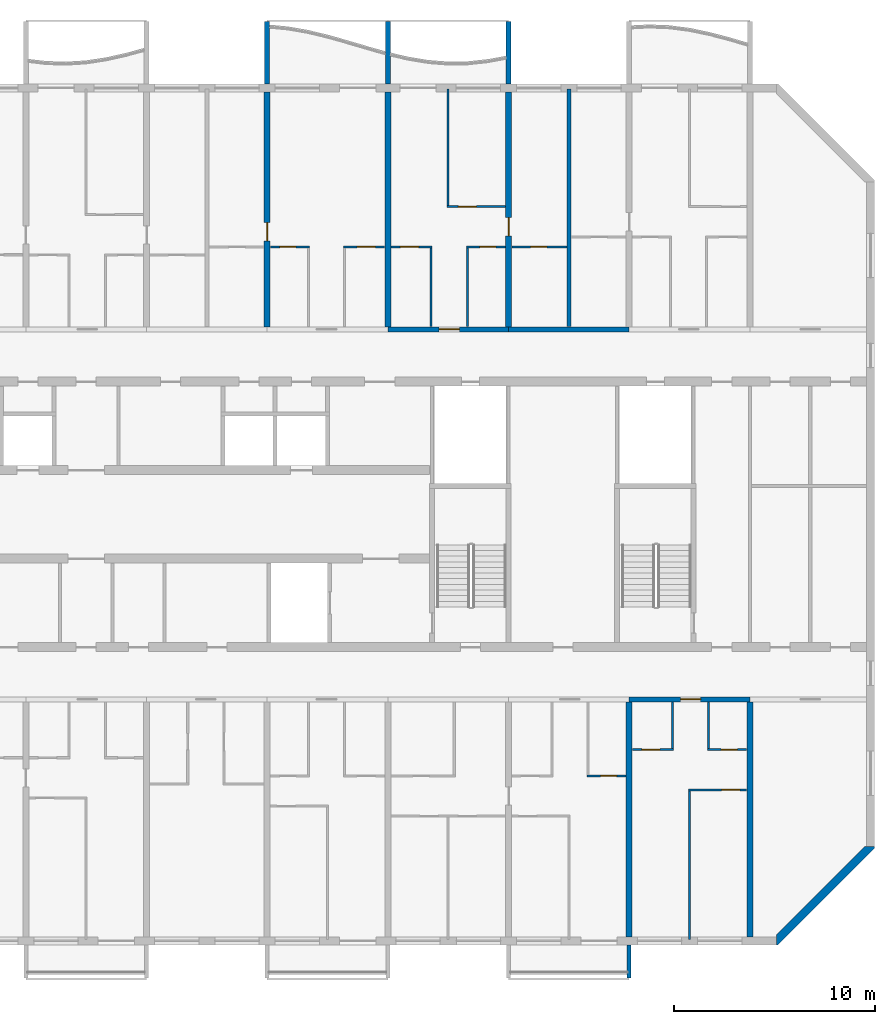
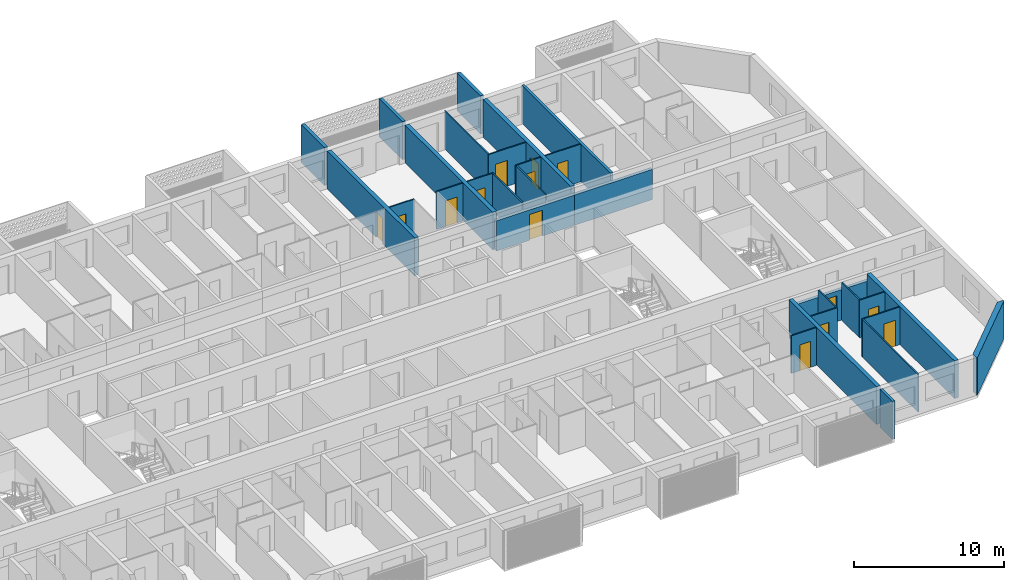
# One storey, part 11 of 32: 30 walls, 14 doors, 14 openings.
"""IFC4 building model written with IfcOpenShell, lengths in metres."""

from ifc_helpers import new_model, si_unit, direction, frame, frame_2d, origin, place, context, subcontext, project, spatial, polyline, rectangle, outline, extrude, source, transform, mapped, material, layer, layer_set, type_object, element, fill, save


model = new_model("IFC4")

# Units and contexts
model_context = context("Model", 3, precision=1e-05, world=origin(), true_north=direction((0.0, 1.0)))
body_context = subcontext(model_context, "Body", "Model", "MODEL_VIEW")
ifc_project = project(units=[si_unit("LENGTHUNIT", "METRE"), si_unit("AREAUNIT", "SQUARE_METRE"), si_unit("VOLUMEUNIT", "CUBIC_METRE"), si_unit("PLANEANGLEUNIT", "RADIAN"), si_unit("MASSUNIT", "GRAM", prefix="KILO")], contexts=[model_context])

# Site, building, storey
site_placement = place(None, origin())
site = spatial("IfcSite", under=ifc_project, at=site_placement, CompositionType="ELEMENT")
building_placement = place(site_placement, origin())
building = spatial("IfcBuilding", under=site, at=building_placement, Name="Poui Terraces", CompositionType="ELEMENT")
storey_placement = place(building_placement, frame((0.0, 0.0, 125.699951171875)))
storey = spatial("IfcBuildingStorey", under=building, at=storey_placement, Name="L34", CompositionType="ELEMENT", Elevation=125.699951171875)

# Wall, opening, door
ifc_material_1 = material(Name="Concrete 65 MPa", Category="concrete")
ifc_layer_1 = layer(ifc_material_1, 0.25)
ifc_layer_set_1 = layer_set([ifc_layer_1], Name="Concrete 65 MPa")
wall_type_1 = type_object("IfcWallType", Name="CORRIDOR WALL 250 65MPa", PredefinedType="SHEAR", material=ifc_layer_set_1)
wall_1_placement = place(storey_placement, frame((78.0, 12.0, 0.0), z_axis=(0.0, 0.0, 1.0), x_axis=(1.0, 0.0, 0.0)))
wall_1 = element("IfcWall", 1, at=wall_1_placement, inside=storey, type_object=wall_type_1, Name="CORRIDOR WALL LINE B BAY 12", PredefinedType="SHEAR", context=body_context, shape_type="SweptSolid", body=[
    extrude(rectangle(XDim=6.0, YDim=0.25, at=frame_2d((3.0, 0.0))), origin(), (0.0, 0.0, 1.0), 2.469970703125),
])
opening_1_placement = place(wall_1_placement, frame((2.550048828125, 0.0, 0.0)))
opening_1 = element("IfcOpeningElement", 2, at=opening_1_placement, cuts=wall_1, Name="Opening FD30S", PredefinedType="OPENING", context=body_context, shape_type="SweptSolid", body=[
    extrude(rectangle(XDim=1.0, YDim=2.10009765625, at=frame_2d((0.5, 1.050048828125))), frame((0.0, 0.135009765625, 0.0), z_axis=(0.0, -1.0, 0.0), x_axis=(1.0, 0.0, 0.0)), (0.0, 0.0, 1.0), 0.27001953125),
])
ifc_material_2 = material(Name="Steel fire door", Category="steel")
door_type_1 = type_object("IfcDoorType", Name="FLAT ENTRANCE DOOR 1000 X 2100", OperationType="NOTDEFINED", PredefinedType="DOOR", material=ifc_material_2)
door_1_placement = place(opening_1_placement, frame((1.0, 0.0, 0.0), z_axis=(0.0, 0.0, 1.0), x_axis=(-1.0, 0.0, 0.0)))
door_1 = element("IfcDoor", 3, at=door_1_placement, inside=storey, type_object=door_type_1, Name="FLAT ENTRANCE DOOR 117", OperationType="SINGLE_SWING_LEFT", OverallHeight=2.10009765625, OverallWidth=1.0, PredefinedType="DOOR", context=body_context, shape_type="SweptSolid", body=[
    extrude(rectangle(XDim=1.0, YDim=2.10009765625, at=frame_2d((0.5, 1.050048828125))), frame((0.0, 0.02490234375, 0.0), z_axis=(0.0, -1.0, 0.0), x_axis=(1.0, 0.0, 0.0)), (0.0, 0.0, 1.0), 0.050048828125),
])
fill(opening_1, door_1)

wall_2_placement = place(storey_placement, frame((66.0, 30.39990234375, 0.0), z_axis=(0.0, 0.0, 1.0), x_axis=(1.0, 0.0, 0.0)))
wall_2 = element("IfcWall", 4, at=wall_2_placement, inside=storey, type_object=wall_type_1, Name="CORRIDOR WALL LINE E BAY 10", PredefinedType="SHEAR", context=body_context, shape_type="SweptSolid", body=[
    extrude(rectangle(XDim=6.0, YDim=0.25, at=frame_2d((3.0, 0.0))), origin(), (0.0, 0.0, 1.0), 2.469970703125),
])
opening_2_placement = place(wall_2_placement, frame((2.550048828125, 0.0, 0.0)))
opening_2 = element("IfcOpeningElement", 5, at=opening_2_placement, cuts=wall_2, Name="Opening FD30S", PredefinedType="OPENING", context=body_context, shape_type="SweptSolid", body=[
    extrude(rectangle(XDim=1.0, YDim=2.10009765625, at=frame_2d((0.5, 1.050048828125))), frame((0.0, 0.135009765625, 0.0), z_axis=(0.0, -1.0, 0.0), x_axis=(1.0, 0.0, 0.0)), (0.0, 0.0, 1.0), 0.27001953125),
])
door_2_placement = place(opening_2_placement, origin())
door_2 = element("IfcDoor", 6, at=door_2_placement, inside=storey, type_object=door_type_1, Name="FLAT ENTRANCE DOOR 067", OperationType="SINGLE_SWING_RIGHT", OverallHeight=2.10009765625, OverallWidth=1.0, PredefinedType="DOOR", context=body_context, shape_type="SweptSolid", body=[
    extrude(rectangle(XDim=1.0, YDim=2.10009765625, at=frame_2d((0.5, 1.050048828125))), frame((0.0, 0.02490234375, 0.0), z_axis=(0.0, -1.0, 0.0), x_axis=(1.0, 0.0, 0.0)), (0.0, 0.0, 1.0), 0.050048828125),
])
fill(opening_2, door_2)

# Wall
wall_3_placement = place(storey_placement, frame((72.0, 30.39990234375, 0.0), z_axis=(0.0, 0.0, 1.0), x_axis=(1.0, 0.0, 0.0)))
element("IfcWall", 7, at=wall_3_placement, inside=storey, type_object=wall_type_1, Name="CORRIDOR WALL LINE E BAY 11", PredefinedType="SHEAR", context=body_context, shape_type="SweptSolid", body=[
    extrude(rectangle(XDim=6.0, YDim=0.25, at=frame_2d((3.0, 0.0))), origin(), (0.0, 0.0, 1.0), 2.469970703125),
])

# Wall, opening, door
ifc_layer_2 = layer(ifc_material_1, 0.300048828125)
ifc_layer_set_2 = layer_set([ifc_layer_2], Name="Concrete 65 MPa")
wall_type_2 = type_object("IfcWallType", Name="CROSS WALL 300 65MPa", PredefinedType="SHEAR", material=ifc_layer_set_2)
wall_4_placement = place(storey_placement, frame((60.0, 30.52490234375, 0.0), z_axis=(0.0, 0.0, 1.0), x_axis=(0.0, 1.0, 0.0)))
wall_4 = element("IfcWall", 8, at=wall_4_placement, inside=storey, type_object=wall_type_2, Name="CROSS WALL LINE 11 NORTH", PredefinedType="SHEAR", context=body_context, shape_type="SweptSolid", body=[
    extrude(rectangle(XDim=11.675048828125, YDim=0.300048828125, at=frame_2d((5.83740234375, 0.0))), origin(), (0.0, 0.0, 1.0), 3.070068359375),
])
opening_3_placement = place(wall_4_placement, frame((4.27490234375, 0.0, 0.0)))
opening_3 = element("IfcOpeningElement", 9, at=opening_3_placement, cuts=wall_4, Name="Opening D90", PredefinedType="OPENING", context=body_context, shape_type="SweptSolid", body=[
    extrude(rectangle(XDim=0.89990234375, YDim=2.10009765625, at=frame_2d((0.449951171875, 1.050048828125))), frame((0.0, 0.16015625, 0.0), z_axis=(0.0, -1.0, 0.0), x_axis=(1.0, 0.0, 0.0)), (0.0, 0.0, 1.0), 0.320068359375),
])
ifc_material_3 = material(Name="Solid core timber door", Category="wood")
door_type_2 = type_object("IfcDoorType", Name="INTERNAL DOOR 900 X 2100", OperationType="NOTDEFINED", PredefinedType="DOOR", material=ifc_material_3)
door_3_placement = place(opening_3_placement, origin())
door_3 = element("IfcDoor", 10, at=door_3_placement, inside=storey, type_object=door_type_2, Name="INTERNAL DOOR 061", OperationType="SINGLE_SWING_LEFT", OverallHeight=2.10009765625, OverallWidth=0.89990234375, PredefinedType="DOOR", context=body_context, shape_type="SweptSolid", body=[
    extrude(rectangle(XDim=0.89990234375, YDim=2.10009765625, at=frame_2d((0.449951171875, 1.050048828125))), frame((0.0, 0.02490234375, 0.0), z_axis=(0.0, -1.0, 0.0), x_axis=(1.0, 0.0, 0.0)), (0.0, 0.0, 1.0), 0.050048828125),
])
fill(opening_3, door_3)

# Wall
wall_5_placement = place(storey_placement, frame((66.0, 30.52490234375, 0.0), z_axis=(0.0, 0.0, 1.0), x_axis=(0.0, 1.0, 0.0)))
element("IfcWall", 11, at=wall_5_placement, inside=storey, type_object=wall_type_2, Name="CROSS WALL LINE 12 NORTH", PredefinedType="SHEAR", context=body_context, shape_type="SweptSolid", body=[
    extrude(rectangle(XDim=11.675048828125, YDim=0.300048828125, at=frame_2d((5.83740234375, 0.0))), origin(), (0.0, 0.0, 1.0), 3.070068359375),
])

# Wall, opening, door
wall_6_placement = place(storey_placement, frame((72.0, 30.52490234375, 0.0), z_axis=(0.0, 0.0, 1.0), x_axis=(0.0, 1.0, 0.0)))
wall_6 = element("IfcWall", 12, at=wall_6_placement, inside=storey, type_object=wall_type_2, Name="CROSS WALL LINE 13 NORTH", PredefinedType="SHEAR", context=body_context, shape_type="SweptSolid", body=[
    extrude(rectangle(XDim=11.675048828125, YDim=0.300048828125, at=frame_2d((5.83740234375, 0.0))), origin(), (0.0, 0.0, 1.0), 3.070068359375),
])
opening_4_placement = place(wall_6_placement, frame((4.52490234375, 0.0, 0.0)))
opening_4 = element("IfcOpeningElement", 13, at=opening_4_placement, cuts=wall_6, Name="Opening D90", PredefinedType="OPENING", context=body_context, shape_type="SweptSolid", body=[
    extrude(rectangle(XDim=0.89990234375, YDim=2.10009765625, at=frame_2d((0.449951171875, 1.050048828125))), frame((0.0, 0.16015625, 0.0), z_axis=(0.0, -1.0, 0.0), x_axis=(1.0, 0.0, 0.0)), (0.0, 0.0, 1.0), 0.320068359375),
])
door_4_placement = place(opening_4_placement, frame((0.89990234375, 0.0, 0.0), z_axis=(0.0, 0.0, 1.0), x_axis=(-1.0, 0.0, 0.0)))
door_4 = element("IfcDoor", 14, at=door_4_placement, inside=storey, type_object=door_type_2, Name="INTERNAL DOOR 070", OperationType="SINGLE_SWING_RIGHT", OverallHeight=2.10009765625, OverallWidth=0.89990234375, PredefinedType="DOOR", context=body_context, shape_type="SweptSolid", body=[
    extrude(rectangle(XDim=0.89990234375, YDim=2.10009765625, at=frame_2d((0.449951171875, 1.050048828125))), frame((0.0, 0.02490234375, 0.0), z_axis=(0.0, -1.0, 0.0), x_axis=(1.0, 0.0, 0.0)), (0.0, 0.0, 1.0), 0.050048828125),
])
fill(opening_4, door_4)

# Walls
for number, where, z_axis, x_axis, name in (
    (15, (78.0, 0.199951171875, 0.0), (0.0, 0.0, 1.0), (0.0, 1.0, 0.0), "CROSS WALL LINE 14 SOUTH"),
    (16, (84.0, 0.199951171875, 0.0), (0.0, 0.0, 1.0), (0.0, 1.0, 0.0), "CROSS WALL LINE 15 SOUTH"),
):
    element("IfcWall", number, at=place(storey_placement, frame(where, z_axis=z_axis, x_axis=x_axis)), inside=storey, type_object=wall_type_2, Name=name, PredefinedType="SHEAR", context=body_context, shape_type="SweptSolid", body=[
        extrude(rectangle(XDim=11.675048828125, YDim=0.300048828125, at=frame_2d((5.83740234375, 0.0))), origin(), (0.0, 0.0, 1.0), 3.070068359375),
    ])

# Wall, opening, door
ifc_material_4 = material(Name="Plasterboard partition")
ifc_layer_3 = layer(ifc_material_4, 0.10009765625)
ifc_layer_set_3 = layer_set([ifc_layer_3], Name="Plasterboard partition")
wall_type_3 = type_object("IfcWallType", Name="FLAT PARTITION 100", PredefinedType="PARTITIONING", material=ifc_layer_set_3)
wall_7_placement = place(storey_placement, frame((80.949951171875, 7.5, 0.0), z_axis=(0.0, 0.0, 1.0), x_axis=(1.0, 0.0, 0.0)))
wall_7 = element("IfcWall", 17, at=wall_7_placement, inside=storey, type_object=wall_type_3, Name="FLAT PARTITION 100", PredefinedType="PARTITIONING", context=body_context, shape_type="SweptSolid", body=[
    extrude(rectangle(XDim=2.89013671875, YDim=0.10009765625, at=frame_2d((1.445068359375, 0.0))), origin(), (0.0, 0.0, 1.0), 3.070068359375),
])
opening_5_placement = place(wall_7_placement, frame((1.64990234375, 0.0, 0.0)))
opening_5 = element("IfcOpeningElement", 18, at=opening_5_placement, cuts=wall_7, Name="Opening D90", PredefinedType="OPENING", context=body_context, shape_type="SweptSolid", body=[
    extrude(rectangle(XDim=0.89990234375, YDim=2.10009765625, at=frame_2d((0.449951171875, 1.050048828125))), frame((0.0, 0.06005859375, 0.0), z_axis=(0.0, -1.0, 0.0), x_axis=(1.0, 0.0, 0.0)), (0.0, 0.0, 1.0), 0.1201171875),
])
door_5_placement = place(opening_5_placement, origin())
door_5 = element("IfcDoor", 19, at=door_5_placement, inside=storey, type_object=door_type_2, Name="INTERNAL DOOR 119", OperationType="SINGLE_SWING_LEFT", OverallHeight=2.10009765625, OverallWidth=0.89990234375, PredefinedType="DOOR", context=body_context, shape_type="SweptSolid", body=[
    extrude(rectangle(XDim=0.89990234375, YDim=2.10009765625, at=frame_2d((0.449951171875, 1.050048828125))), frame((0.0, 0.02490234375, 0.0), z_axis=(0.0, -1.0, 0.0), x_axis=(1.0, 0.0, 0.0)), (0.0, 0.0, 1.0), 0.050048828125),
])
fill(opening_5, door_5)

wall_8_placement = place(storey_placement, frame((75.89990234375, 8.199951171875, 0.0), z_axis=(0.0, 0.0, 1.0), x_axis=(1.0, 0.0, 0.0)))
wall_8 = element("IfcWall", 20, at=wall_8_placement, inside=storey, type_object=wall_type_3, Name="FLAT PARTITION 100", PredefinedType="PARTITIONING", context=body_context, shape_type="SweptSolid", body=[
    extrude(rectangle(XDim=1.940185546875, YDim=0.10009765625, at=frame_2d((0.97021484375, 0.0))), origin(), (0.0, 0.0, 1.0), 3.070068359375),
])
opening_6_placement = place(wall_8_placement, frame((0.675048828125, 0.0, 0.0)))
opening_6 = element("IfcOpeningElement", 21, at=opening_6_placement, cuts=wall_8, Name="Opening D80", PredefinedType="OPENING", context=body_context, shape_type="SweptSolid", body=[
    extrude(rectangle(XDim=0.800048828125, YDim=2.10009765625, at=frame_2d((0.39990234375, 1.050048828125))), frame((0.0, 0.06005859375, 0.0), z_axis=(0.0, -1.0, 0.0), x_axis=(1.0, 0.0, 0.0)), (0.0, 0.0, 1.0), 0.1201171875),
])
door_type_3 = type_object("IfcDoorType", Name="BATHROOM, LAUNDRY AND STORE DOOR 800 X 2100", OperationType="NOTDEFINED", PredefinedType="DOOR", material=ifc_material_3)
door_6_placement = place(opening_6_placement, origin())
door_6 = element("IfcDoor", 22, at=door_6_placement, inside=storey, type_object=door_type_3, Name="BATHROOM, LAUNDRY AND STORE DOOR 115", OperationType="SINGLE_SWING_RIGHT", OverallHeight=2.10009765625, OverallWidth=0.800048828125, PredefinedType="DOOR", context=body_context, shape_type="SweptSolid", body=[
    extrude(rectangle(XDim=0.800048828125, YDim=2.10009765625, at=frame_2d((0.39990234375, 1.050048828125))), frame((0.0, 0.02490234375, 0.0), z_axis=(0.0, -1.0, 0.0), x_axis=(1.0, 0.0, 0.0)), (0.0, 0.0, 1.0), 0.050048828125),
])
fill(opening_6, door_6)

wall_9_placement = place(storey_placement, frame((78.159912109375, 9.5, 0.0), z_axis=(0.0, 0.0, 1.0), x_axis=(1.0, 0.0, 0.0)))
wall_9 = element("IfcWall", 23, at=wall_9_placement, inside=storey, type_object=wall_type_3, Name="FLAT PARTITION 100", PredefinedType="PARTITIONING", context=body_context, shape_type="SweptSolid", body=[
    extrude(rectangle(XDim=2.0400390625, YDim=0.10009765625, at=frame_2d((1.02001953125, 0.0))), origin(), (0.0, 0.0, 1.0), 3.070068359375),
])
opening_7_placement = place(wall_9_placement, frame((0.465087890625, 0.0, 0.0)))
opening_7 = element("IfcOpeningElement", 24, at=opening_7_placement, cuts=wall_9, Name="Opening D90", PredefinedType="OPENING", context=body_context, shape_type="SweptSolid", body=[
    extrude(rectangle(XDim=0.89990234375, YDim=2.10009765625, at=frame_2d((0.449951171875, 1.050048828125))), frame((0.0, 0.06005859375, 0.0), z_axis=(0.0, -1.0, 0.0), x_axis=(1.0, 0.0, 0.0)), (0.0, 0.0, 1.0), 0.1201171875),
])
door_7_placement = place(opening_7_placement, origin())
door_7 = element("IfcDoor", 25, at=door_7_placement, inside=storey, type_object=door_type_2, Name="INTERNAL DOOR 116", OperationType="SINGLE_SWING_LEFT", OverallHeight=2.10009765625, OverallWidth=0.89990234375, PredefinedType="DOOR", context=body_context, shape_type="SweptSolid", body=[
    extrude(rectangle(XDim=0.89990234375, YDim=2.10009765625, at=frame_2d((0.449951171875, 1.050048828125))), frame((0.0, 0.02490234375, 0.0), z_axis=(0.0, -1.0, 0.0), x_axis=(1.0, 0.0, 0.0)), (0.0, 0.0, 1.0), 0.050048828125),
])
fill(opening_7, door_7)

wall_10_placement = place(storey_placement, frame((81.89990234375, 9.5, 0.0), z_axis=(0.0, 0.0, 1.0), x_axis=(1.0, 0.0, 0.0)))
wall_10 = element("IfcWall", 26, at=wall_10_placement, inside=storey, type_object=wall_type_3, Name="FLAT PARTITION 100", PredefinedType="PARTITIONING", context=body_context, shape_type="SweptSolid", body=[
    extrude(rectangle(XDim=1.940185546875, YDim=0.10009765625, at=frame_2d((0.97021484375, 0.0))), origin(), (0.0, 0.0, 1.0), 3.070068359375),
])
opening_8_placement = place(wall_10_placement, frame((0.675048828125, 0.0, 0.0)))
opening_8 = element("IfcOpeningElement", 27, at=opening_8_placement, cuts=wall_10, Name="Opening D80", PredefinedType="OPENING", context=body_context, shape_type="SweptSolid", body=[
    extrude(rectangle(XDim=0.800048828125, YDim=2.10009765625, at=frame_2d((0.39990234375, 1.050048828125))), frame((0.0, 0.06005859375, 0.0), z_axis=(0.0, -1.0, 0.0), x_axis=(1.0, 0.0, 0.0)), (0.0, 0.0, 1.0), 0.1201171875),
])
door_8_placement = place(opening_8_placement, origin())
door_8 = element("IfcDoor", 28, at=door_8_placement, inside=storey, type_object=door_type_3, Name="BATHROOM, LAUNDRY AND STORE DOOR 118", OperationType="SINGLE_SWING_RIGHT", OverallHeight=2.10009765625, OverallWidth=0.800048828125, PredefinedType="DOOR", context=body_context, shape_type="SweptSolid", body=[
    extrude(rectangle(XDim=0.800048828125, YDim=2.10009765625, at=frame_2d((0.39990234375, 1.050048828125))), frame((0.0, 0.02490234375, 0.0), z_axis=(0.0, -1.0, 0.0), x_axis=(1.0, 0.0, 0.0)), (0.0, 0.0, 1.0), 0.050048828125),
])
fill(opening_8, door_8)

wall_11_placement = place(storey_placement, frame((60.159912109375, 34.5, 0.0), z_axis=(0.0, 0.0, 1.0), x_axis=(1.0, 0.0, 0.0)))
wall_11 = element("IfcWall", 29, at=wall_11_placement, inside=storey, type_object=wall_type_3, Name="FLAT PARTITION 100", PredefinedType="PARTITIONING", context=body_context, shape_type="SweptSolid", body=[
    extrude(rectangle(XDim=1.940185546875, YDim=0.10009765625, at=frame_2d((0.97021484375, 0.0))), origin(), (0.0, 0.0, 1.0), 3.070068359375),
])
opening_9_placement = place(wall_11_placement, frame((0.465087890625, 0.0, 0.0)))
opening_9 = element("IfcOpeningElement", 30, at=opening_9_placement, cuts=wall_11, Name="Opening D80", PredefinedType="OPENING", context=body_context, shape_type="SweptSolid", body=[
    extrude(rectangle(XDim=0.800048828125, YDim=2.10009765625, at=frame_2d((0.39990234375, 1.050048828125))), frame((0.0, 0.06005859375, 0.0), z_axis=(0.0, -1.0, 0.0), x_axis=(1.0, 0.0, 0.0)), (0.0, 0.0, 1.0), 0.1201171875),
])
door_9_placement = place(opening_9_placement, frame((0.800048828125, 0.0, 0.0), z_axis=(0.0, 0.0, 1.0), x_axis=(-1.0, 0.0, 0.0)))
door_9 = element("IfcDoor", 31, at=door_9_placement, inside=storey, type_object=door_type_3, Name="BATHROOM, LAUNDRY AND STORE DOOR 062", OperationType="SINGLE_SWING_LEFT", OverallHeight=2.10009765625, OverallWidth=0.800048828125, PredefinedType="DOOR", context=body_context, shape_type="SweptSolid", body=[
    extrude(rectangle(XDim=0.800048828125, YDim=2.10009765625, at=frame_2d((0.39990234375, 1.050048828125))), frame((0.0, 0.02490234375, 0.0), z_axis=(0.0, -1.0, 0.0), x_axis=(1.0, 0.0, 0.0)), (0.0, 0.0, 1.0), 0.050048828125),
])
fill(opening_9, door_9)

wall_12_placement = place(storey_placement, frame((63.800048828125, 34.5, 0.0), z_axis=(0.0, 0.0, 1.0), x_axis=(1.0, 0.0, 0.0)))
wall_12 = element("IfcWall", 32, at=wall_12_placement, inside=storey, type_object=wall_type_3, Name="FLAT PARTITION 100", PredefinedType="PARTITIONING", context=body_context, shape_type="SweptSolid", body=[
    extrude(rectangle(XDim=2.0400390625, YDim=0.10009765625, at=frame_2d((1.02001953125, 0.0))), origin(), (0.0, 0.0, 1.0), 3.070068359375),
])
opening_10_placement = place(wall_12_placement, frame((0.675048828125, 0.0, 0.0)))
opening_10 = element("IfcOpeningElement", 33, at=opening_10_placement, cuts=wall_12, Name="Opening D90", PredefinedType="OPENING", context=body_context, shape_type="SweptSolid", body=[
    extrude(rectangle(XDim=0.89990234375, YDim=2.10009765625, at=frame_2d((0.449951171875, 1.050048828125))), frame((0.0, 0.06005859375, 0.0), z_axis=(0.0, -1.0, 0.0), x_axis=(1.0, 0.0, 0.0)), (0.0, 0.0, 1.0), 0.1201171875),
])
door_10_placement = place(opening_10_placement, frame((0.89990234375, 0.0, 0.0), z_axis=(0.0, 0.0, 1.0), x_axis=(-1.0, 0.0, 0.0)))
door_10 = element("IfcDoor", 34, at=door_10_placement, inside=storey, type_object=door_type_2, Name="INTERNAL DOOR 064", OperationType="SINGLE_SWING_RIGHT", OverallHeight=2.10009765625, OverallWidth=0.89990234375, PredefinedType="DOOR", context=body_context, shape_type="SweptSolid", body=[
    extrude(rectangle(XDim=0.89990234375, YDim=2.10009765625, at=frame_2d((0.449951171875, 1.050048828125))), frame((0.0, 0.02490234375, 0.0), z_axis=(0.0, -1.0, 0.0), x_axis=(1.0, 0.0, 0.0)), (0.0, 0.0, 1.0), 0.050048828125),
])
fill(opening_10, door_10)

wall_13_placement = place(storey_placement, frame((66.159912109375, 34.5, 0.0), z_axis=(0.0, 0.0, 1.0), x_axis=(1.0, 0.0, 0.0)))
wall_13 = element("IfcWall", 35, at=wall_13_placement, inside=storey, type_object=wall_type_3, Name="FLAT PARTITION 100", PredefinedType="PARTITIONING", context=body_context, shape_type="SweptSolid", body=[
    extrude(rectangle(XDim=2.0400390625, YDim=0.10009765625, at=frame_2d((1.02001953125, 0.0))), origin(), (0.0, 0.0, 1.0), 3.070068359375),
])
opening_11_placement = place(wall_13_placement, frame((0.465087890625, 0.0, 0.0)))
opening_11 = element("IfcOpeningElement", 36, at=opening_11_placement, cuts=wall_13, Name="Opening D90", PredefinedType="OPENING", context=body_context, shape_type="SweptSolid", body=[
    extrude(rectangle(XDim=0.89990234375, YDim=2.10009765625, at=frame_2d((0.449951171875, 1.050048828125))), frame((0.0, 0.06005859375, 0.0), z_axis=(0.0, -1.0, 0.0), x_axis=(1.0, 0.0, 0.0)), (0.0, 0.0, 1.0), 0.1201171875),
])
door_11_placement = place(opening_11_placement, frame((0.89990234375, 0.0, 0.0), z_axis=(0.0, 0.0, 1.0), x_axis=(-1.0, 0.0, 0.0)))
door_11 = element("IfcDoor", 37, at=door_11_placement, inside=storey, type_object=door_type_2, Name="INTERNAL DOOR 066", OperationType="SINGLE_SWING_LEFT", OverallHeight=2.10009765625, OverallWidth=0.89990234375, PredefinedType="DOOR", context=body_context, shape_type="SweptSolid", body=[
    extrude(rectangle(XDim=0.89990234375, YDim=2.10009765625, at=frame_2d((0.449951171875, 1.050048828125))), frame((0.0, 0.02490234375, 0.0), z_axis=(0.0, -1.0, 0.0), x_axis=(1.0, 0.0, 0.0)), (0.0, 0.0, 1.0), 0.050048828125),
])
fill(opening_11, door_11)

wall_14_placement = place(storey_placement, frame((69.89990234375, 34.5, 0.0), z_axis=(0.0, 0.0, 1.0), x_axis=(1.0, 0.0, 0.0)))
wall_14 = element("IfcWall", 38, at=wall_14_placement, inside=storey, type_object=wall_type_3, Name="FLAT PARTITION 100", PredefinedType="PARTITIONING", context=body_context, shape_type="SweptSolid", body=[
    extrude(rectangle(XDim=1.940185546875, YDim=0.10009765625, at=frame_2d((0.97021484375, 0.0))), origin(), (0.0, 0.0, 1.0), 3.070068359375),
])
opening_12_placement = place(wall_14_placement, frame((0.675048828125, 0.0, 0.0)))
opening_12 = element("IfcOpeningElement", 39, at=opening_12_placement, cuts=wall_14, Name="Opening D80", PredefinedType="OPENING", context=body_context, shape_type="SweptSolid", body=[
    extrude(rectangle(XDim=0.800048828125, YDim=2.10009765625, at=frame_2d((0.39990234375, 1.050048828125))), frame((0.0, 0.06005859375, 0.0), z_axis=(0.0, -1.0, 0.0), x_axis=(1.0, 0.0, 0.0)), (0.0, 0.0, 1.0), 0.1201171875),
])
door_12_placement = place(opening_12_placement, frame((0.800048828125, 0.0, 0.0), z_axis=(0.0, 0.0, 1.0), x_axis=(-1.0, 0.0, 0.0)))
door_12 = element("IfcDoor", 40, at=door_12_placement, inside=storey, type_object=door_type_3, Name="BATHROOM, LAUNDRY AND STORE DOOR 069", OperationType="SINGLE_SWING_RIGHT", OverallHeight=2.10009765625, OverallWidth=0.800048828125, PredefinedType="DOOR", context=body_context, shape_type="SweptSolid", body=[
    extrude(rectangle(XDim=0.800048828125, YDim=2.10009765625, at=frame_2d((0.39990234375, 1.050048828125))), frame((0.0, 0.02490234375, 0.0), z_axis=(0.0, -1.0, 0.0), x_axis=(1.0, 0.0, 0.0)), (0.0, 0.0, 1.0), 0.050048828125),
])
fill(opening_12, door_12)

wall_15_placement = place(storey_placement, frame((72.159912109375, 34.5, 0.0), z_axis=(0.0, 0.0, 1.0), x_axis=(1.0, 0.0, 0.0)))
wall_15 = element("IfcWall", 41, at=wall_15_placement, inside=storey, type_object=wall_type_3, Name="FLAT PARTITION 100", PredefinedType="PARTITIONING", context=body_context, shape_type="SweptSolid", body=[
    extrude(rectangle(XDim=2.739990234375, YDim=0.10009765625, at=frame_2d((1.3701171875, 0.0))), origin(), (0.0, 0.0, 1.0), 3.070068359375),
])
opening_13_placement = place(wall_15_placement, frame((0.93994140625, 0.0, 0.0)))
opening_13 = element("IfcOpeningElement", 42, at=opening_13_placement, cuts=wall_15, Name="Opening D80", PredefinedType="OPENING", context=body_context, shape_type="SweptSolid", body=[
    extrude(rectangle(XDim=0.800048828125, YDim=2.10009765625, at=frame_2d((0.39990234375, 1.050048828125))), frame((0.0, 0.06005859375, 0.0), z_axis=(0.0, -1.0, 0.0), x_axis=(1.0, 0.0, 0.0)), (0.0, 0.0, 1.0), 0.1201171875),
])
door_13_placement = place(opening_13_placement, frame((0.800048828125, 0.0, 0.0), z_axis=(0.0, 0.0, 1.0), x_axis=(-1.0, 0.0, 0.0)))
door_13 = element("IfcDoor", 43, at=door_13_placement, inside=storey, type_object=door_type_3, Name="BATHROOM, LAUNDRY AND STORE DOOR 065", OperationType="SINGLE_SWING_LEFT", OverallHeight=2.10009765625, OverallWidth=0.800048828125, PredefinedType="DOOR", context=body_context, shape_type="SweptSolid", body=[
    extrude(rectangle(XDim=0.800048828125, YDim=2.10009765625, at=frame_2d((0.39990234375, 1.050048828125))), frame((0.0, 0.02490234375, 0.0), z_axis=(0.0, -1.0, 0.0), x_axis=(1.0, 0.0, 0.0)), (0.0, 0.0, 1.0), 0.050048828125),
])
fill(opening_13, door_13)

wall_16_placement = place(storey_placement, frame((68.949951171875, 36.5, 0.0), z_axis=(0.0, 0.0, 1.0), x_axis=(1.0, 0.0, 0.0)))
wall_16 = element("IfcWall", 44, at=wall_16_placement, inside=storey, type_object=wall_type_3, Name="FLAT PARTITION 100", PredefinedType="PARTITIONING", context=body_context, shape_type="SweptSolid", body=[
    extrude(rectangle(XDim=2.89013671875, YDim=0.10009765625, at=frame_2d((1.445068359375, 0.0))), origin(), (0.0, 0.0, 1.0), 3.070068359375),
])
opening_14_placement = place(wall_16_placement, frame((0.550048828125, 0.0, 0.0)))
opening_14 = element("IfcOpeningElement", 45, at=opening_14_placement, cuts=wall_16, Name="Opening D90", PredefinedType="OPENING", context=body_context, shape_type="SweptSolid", body=[
    extrude(rectangle(XDim=0.89990234375, YDim=2.10009765625, at=frame_2d((0.449951171875, 1.050048828125))), frame((0.0, 0.06005859375, 0.0), z_axis=(0.0, -1.0, 0.0), x_axis=(1.0, 0.0, 0.0)), (0.0, 0.0, 1.0), 0.1201171875),
])
door_14_placement = place(opening_14_placement, frame((0.89990234375, 0.0, 0.0), z_axis=(0.0, 0.0, 1.0), x_axis=(-1.0, 0.0, 0.0)))
door_14 = element("IfcDoor", 46, at=door_14_placement, inside=storey, type_object=door_type_2, Name="INTERNAL DOOR 068", OperationType="SINGLE_SWING_LEFT", OverallHeight=2.10009765625, OverallWidth=0.89990234375, PredefinedType="DOOR", context=body_context, shape_type="SweptSolid", body=[
    extrude(rectangle(XDim=0.89990234375, YDim=2.10009765625, at=frame_2d((0.449951171875, 1.050048828125))), frame((0.0, 0.02490234375, 0.0), z_axis=(0.0, -1.0, 0.0), x_axis=(1.0, 0.0, 0.0)), (0.0, 0.0, 1.0), 0.050048828125),
])
fill(opening_14, door_14)

# Walls
wall_17_placement = place(storey_placement, frame((68.14990234375, 30.534912109375, 0.0), z_axis=(0.0, 0.0, 1.0), x_axis=(0.0, 1.0, 0.0)))
element("IfcWall", 47, at=wall_17_placement, inside=storey, type_object=wall_type_3, Name="FLAT PARTITION 100", PredefinedType="PARTITIONING", context=body_context, shape_type="SweptSolid", body=[
    extrude(rectangle(XDim=3.9150390625, YDim=0.10009765625, at=frame_2d((1.95751953125, 0.0))), origin(), (0.0, 0.0, 1.0), 3.070068359375),
])
wall_18_placement = place(storey_placement, frame((69.0, 36.550048828125, 0.0), z_axis=(0.0, 0.0, 1.0), x_axis=(0.0, 1.0, 0.0)))
element("IfcWall", 48, at=wall_18_placement, inside=storey, type_object=wall_type_3, Name="FLAT PARTITION 100", PredefinedType="PARTITIONING", context=body_context, shape_type="SweptSolid", body=[
    extrude(rectangle(XDim=5.7900390625, YDim=0.10009765625, at=frame_2d((2.89501953125, 0.0))), origin(), (0.0, 0.0, 1.0), 3.070068359375),
])
wall_19_placement = place(storey_placement, frame((69.949951171875, 30.534912109375, 0.0), z_axis=(0.0, 0.0, 1.0), x_axis=(0.0, 1.0, 0.0)))
element("IfcWall", 49, at=wall_19_placement, inside=storey, type_object=wall_type_3, Name="FLAT PARTITION 100", PredefinedType="PARTITIONING", context=body_context, shape_type="SweptSolid", body=[
    extrude(rectangle(XDim=3.9150390625, YDim=0.10009765625, at=frame_2d((1.95751953125, 0.0))), origin(), (0.0, 0.0, 1.0), 3.070068359375),
])
wall_20_placement = place(storey_placement, frame((80.14990234375, 9.550048828125, 0.0), z_axis=(0.0, 0.0, 1.0), x_axis=(0.0, 1.0, 0.0)))
element("IfcWall", 50, at=wall_20_placement, inside=storey, type_object=wall_type_3, Name="FLAT PARTITION 100", PredefinedType="PARTITIONING", context=body_context, shape_type="SweptSolid", body=[
    extrude(rectangle(XDim=2.31494140625, YDim=0.10009765625, at=frame_2d((1.157470703125, 0.0))), origin(), (0.0, 0.0, 1.0), 3.070068359375),
])
wall_21_placement = place(storey_placement, frame((81.0, 0.06005859375, 0.0), z_axis=(0.0, 0.0, 1.0), x_axis=(0.0, 1.0, 0.0)))
element("IfcWall", 51, at=wall_21_placement, inside=storey, type_object=wall_type_3, Name="FLAT PARTITION 100", PredefinedType="PARTITIONING", context=body_context, shape_type="SweptSolid", body=[
    extrude(rectangle(XDim=7.389892578125, YDim=0.10009765625, at=frame_2d((3.69482421875, 0.0))), origin(), (0.0, 0.0, 1.0), 3.070068359375),
])
wall_22_placement = place(storey_placement, frame((81.949951171875, 9.550048828125, 0.0), z_axis=(0.0, 0.0, 1.0), x_axis=(0.0, 1.0, 0.0)))
element("IfcWall", 52, at=wall_22_placement, inside=storey, type_object=wall_type_3, Name="FLAT PARTITION 100", PredefinedType="PARTITIONING", context=body_context, shape_type="SweptSolid", body=[
    extrude(rectangle(XDim=2.31494140625, YDim=0.10009765625, at=frame_2d((1.157470703125, 0.0))), origin(), (0.0, 0.0, 1.0), 3.070068359375),
])
ifc_material_5 = material(Name="Fire-rated masonry wall", Category="masonry")
ifc_layer_4 = layer(ifc_material_5, 0.199951171875)
ifc_layer_set_4 = layer_set([ifc_layer_4], Name="Fire-rated masonry wall")
wall_type_4 = type_object("IfcWallType", Name="FLAT PARTY WALL 200", PredefinedType="PARTITIONING", material=ifc_layer_set_4)
wall_23_placement = place(storey_placement, frame((75.0, 30.534912109375, 0.0), z_axis=(0.0, 0.0, 1.0), x_axis=(0.0, 1.0, 0.0)))
element("IfcWall", 53, at=wall_23_placement, inside=storey, type_object=wall_type_4, Name="FLAT PARTY WALL 200", PredefinedType="PARTITIONING", context=body_context, shape_type="SweptSolid", body=[
    extrude(rectangle(XDim=11.80517578125, YDim=0.199951171875, at=frame_2d((5.902587890625, 0.0))), origin(), (0.0, 0.0, 1.0), 3.070068359375),
])
ifc_material_6 = material(Name="Precast concrete 40 MPa", Category="concrete")
ifc_layer_5 = layer(ifc_material_6, 0.39990234375)
ifc_layer_set_5 = layer_set([ifc_layer_5], Name="Precast concrete 40 MPa")
wall_type_5 = type_object("IfcWallType", Name="TERRACOTTA CLAD CHAMFER WALL 400", PredefinedType="STANDARD", material=ifc_layer_set_5)
wall_24_placement = place(storey_placement, origin())
element("IfcWall", 54, at=wall_24_placement, inside=storey, type_object=wall_type_5, Name="CHAMFER WALL CH01", PredefinedType="STANDARD", context=body_context, shape_type="SweptSolid", body=[
    extrude(outline(polyline([(85.317138671875, -0.199951171875), (85.39990234375, -0.199951171875), (90.199951171875, 4.60009765625), (90.199951171875, 4.682861328125), (89.71728515625, 4.682861328125), (85.317138671875, 0.28271484375), (85.317138671875, -0.199951171875)])), origin(), (0.0, 0.0, 1.0), 3.070068359375),
])
ifc_layer_6 = layer(ifc_material_6, 0.199951171875)
ifc_layer_set_6 = layer_set([ifc_layer_6], Name="Precast concrete 40 MPa")
wall_type_6 = type_object("IfcWallType", Name="REAR FIN 200", PredefinedType="STANDARD", material=ifc_layer_set_6)
shared_shape_1 = source(origin(), body_context, "Body", "SweptSolid", [
    extrude(outline(polyline([(0.0, 0.0), (0.2001953125, 0.0), (0.2001953125, 1.650146484375), (0.0, 1.650146484375), (0.0, 0.0)])), origin(), (0.0, 0.0, 1.0), 3.10009765625),
])
wall_25_placement = place(storey_placement, frame((77.89990234375, -1.85009765625, 0.0)))
element("IfcWall", 55, at=wall_25_placement, inside=storey, type_object=wall_type_6, Name="REAR FIN", PredefinedType="STANDARD", context=body_context, shape_type="MappedRepresentation", body=[
    mapped(shared_shape_1, transform((0.0, 0.0, 0.0))),
])
ifc_layer_7 = layer(ifc_material_6, 0.25)
ifc_layer_set_7 = layer_set([ifc_layer_7], Name="Precast concrete 40 MPa")
wall_type_7 = type_object("IfcWallType", Name="BALCONY FIN 250", PredefinedType="STANDARD", material=ifc_layer_set_7)
shared_shape_2 = source(origin(), body_context, "Body", "SweptSolid", [
    extrude(outline(polyline([(0.0, 0.0), (0.25, 0.0), (0.25, 3.099853515625), (0.0, 3.099853515625), (0.0, 0.0)])), origin(), (0.0, 0.0, 1.0), 3.10009765625),
])
for number, where, name in (
    (56, (59.875, 42.60009765625, 0.0), "BALCONY FIN"),
    (57, (65.875, 42.60009765625, 0.0), "BALCONY FIN"),
    (58, (71.875, 42.60009765625, 0.0), "BALCONY FIN"),
):
    element("IfcWall", number, at=place(storey_placement, frame(where)), inside=storey, type_object=wall_type_7, Name=name, PredefinedType="STANDARD", context=body_context, shape_type="MappedRepresentation", body=[
        mapped(shared_shape_2, transform((0.0, 0.0, 0.0))),
    ])

save(model, "model.ifc")
